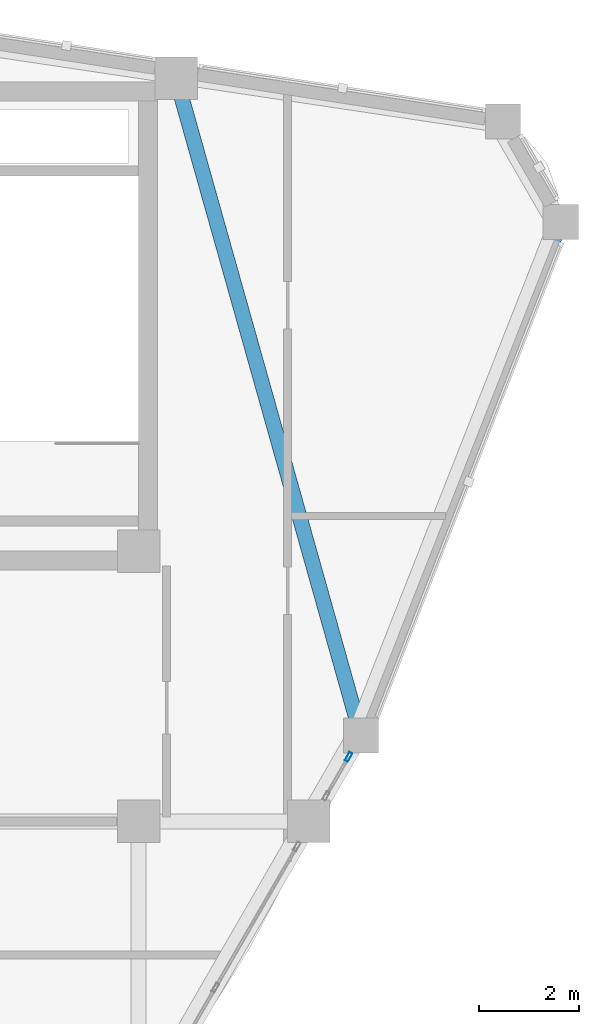
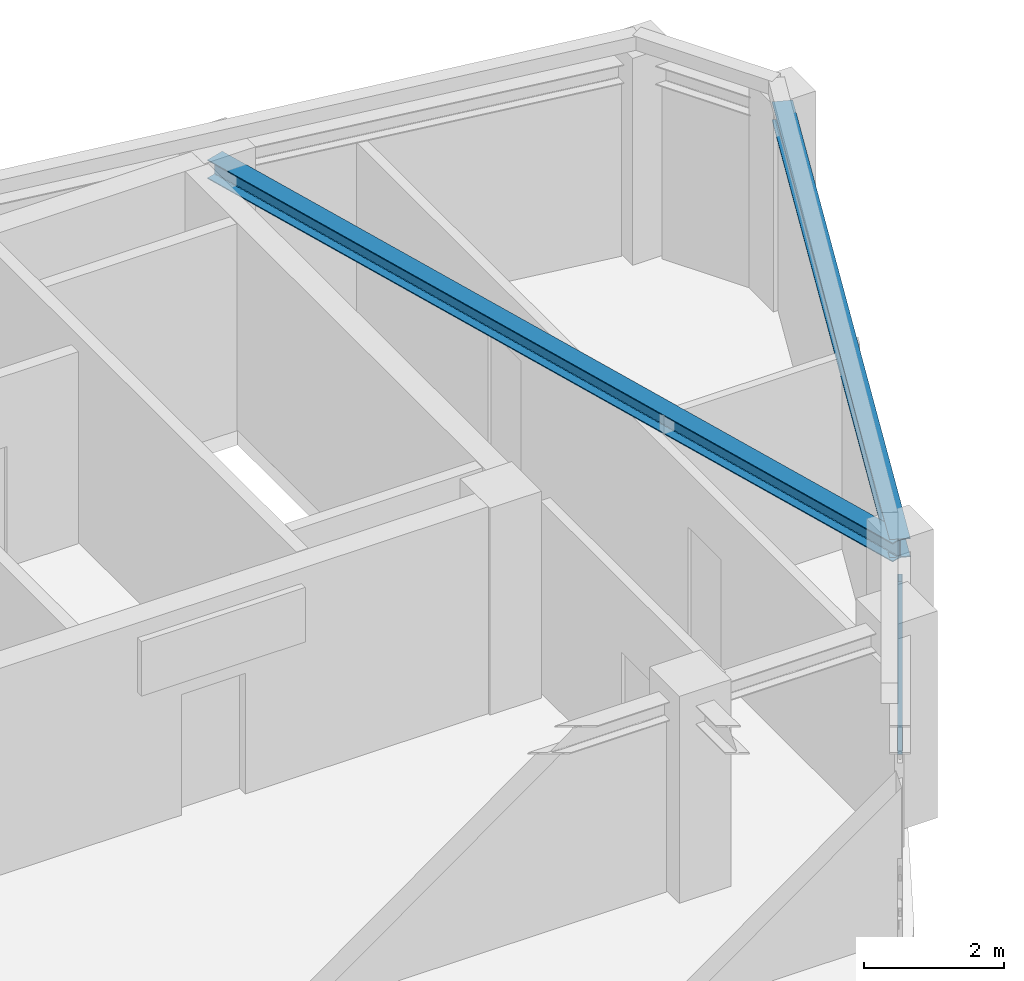
# One storey, part 8 of 13: 2 beams, 1 member, 1 element without a shape of its own.
"""IFC4 building model written with IfcOpenShell, lengths in metres."""

import ifcopenshell
import ifcopenshell.guid

model = None  # the IFC model being written
_history = None  # IfcOwnerHistory: only IFC2X3 demands one
_inside = {}  # id of a spatial element -> (the spatial element, [elements in it])
_under = {}  # id of a project, library or spatial element -> (it, [spatial elements below it])
_declared = {}  # id of a project -> (the project, [libraries it declares])
_typed = {}  # id of a type object -> (the type object, [elements of that type])
_made_of = {}  # id of a material, layer set ... -> (it, [elements and type objects made of it])


def new_model(schema):
    """Start an empty IFC model of exactly this schema.

    Asked for "IFC4X3", IfcOpenShell would pick the latest addendum, in which some entities
    have other attributes; the version numbers below select the first issue.
    IFC2X3 requires an IfcOwnerHistory on every rooted entity: one is made here for all.
    """
    global model, _history
    if schema == "IFC4X3":
        model = ifcopenshell.file(schema_version=(4, 3, 0, 0))
    else:
        model = ifcopenshell.file(schema=schema)
    _inside.clear()
    _under.clear()
    _declared.clear()
    _typed.clear()
    _made_of.clear()
    _history = None
    if model.schema == "IFC2X3":
        org = make("IfcOrganization", Name="unknown")
        user = make(
            "IfcPersonAndOrganization",
            ThePerson=make("IfcPerson", FamilyName="unknown"),
            TheOrganization=org,
        )
        app = make(
            "IfcApplication",
            ApplicationDeveloper=org,
            Version="unknown",
            ApplicationFullName="unknown",
            ApplicationIdentifier="unknown",
        )
        _history = make(
            "IfcOwnerHistory",
            OwningUser=user,
            OwningApplication=app,
            ChangeAction="ADDED",
            CreationDate=0,
        )
    return model


def make(cls, **values):
    """One entity of the class cls with the attributes given. An attribute that is None is left unset."""
    return model.create_entity(
        cls, **{name: value for name, value in values.items() if value is not None}
    )


def rooted(cls, **values):
    """An entity with a GlobalId (a new one), such as an element, a storey or a relation."""
    return make(cls, GlobalId=ifcopenshell.guid.new(), OwnerHistory=_history, **values)


def si_unit(unit_type, name, prefix=None):
    """IfcSIUnit, for example si_unit("LENGTHUNIT", "METRE", prefix="MILLI")."""
    return make("IfcSIUnit", UnitType=unit_type, Prefix=prefix, Name=name)


def derived_unit(unit_type, elements):
    """IfcDerivedUnit: a product of units, each with its exponent."""
    return make(
        "IfcDerivedUnit",
        Elements=[
            make("IfcDerivedUnitElement", Unit=unit, Exponent=power)
            for unit, power in elements
        ],
        UnitType=unit_type,
    )


def assignment(units):
    """IfcUnitAssignment: the units of a project."""
    return None if units is None else make("IfcUnitAssignment", Units=units)


def point(xyz):
    """IfcCartesianPoint."""
    return None if xyz is None else make("IfcCartesianPoint", Coordinates=xyz)


def direction(xyz):
    """IfcDirection."""
    return None if xyz is None else make("IfcDirection", DirectionRatios=xyz)


def frame(location, z_axis=None, x_axis=None):
    """IfcAxis2Placement3D, a coordinate frame: its origin and axes. An axis left out is left unset."""
    return make(
        "IfcAxis2Placement3D",
        Location=point(location),
        Axis=direction(z_axis),
        RefDirection=direction(x_axis),
    )


def frame_2d(location, x_axis=None):
    """IfcAxis2Placement2D, a coordinate frame in the plane: its origin and x axis."""
    return make(
        "IfcAxis2Placement2D", Location=point(location), RefDirection=direction(x_axis)
    )


def origin():
    """The frame at (0, 0, 0) with its axes left unset."""
    return frame((0.0, 0.0, 0.0))


def origin_2d():
    """The frame at (0, 0) in the plane with its x axis left unset."""
    return frame_2d((0.0, 0.0))


def place(relative_to, where):
    """IfcLocalPlacement: puts the frame where relative to a parent placement (None: the world)."""
    return make(
        "IfcLocalPlacement", PlacementRelTo=relative_to, RelativePlacement=where
    )


def context(
    kind, dimensions, precision=None, world=None, true_north=None, identifier=None
):
    """IfcGeometricRepresentationContext, for example the 3D "Model" context."""
    return make(
        "IfcGeometricRepresentationContext",
        ContextIdentifier=identifier,
        ContextType=kind,
        CoordinateSpaceDimension=dimensions,
        Precision=precision,
        WorldCoordinateSystem=world,
        TrueNorth=true_north,
    )


def subcontext(parent, identifier, kind, view, scale=None):
    """IfcGeometricRepresentationSubContext, for example "Body" below "Model"."""
    return make(
        "IfcGeometricRepresentationSubContext",
        ContextIdentifier=identifier,
        ContextType=kind,
        ParentContext=parent,
        TargetScale=scale,
        TargetView=view,
    )


def project(units=None, contexts=None):
    """IfcProject with its units and contexts."""
    return rooted(
        "IfcProject",
        Name="project",
        RepresentationContexts=contexts,
        UnitsInContext=assignment(units),
    )


def spatial(cls, under=None, at=None, **own):
    """A site, building, storey or space (cls), placed at a placement, below another one or the project."""
    s = rooted(cls, ObjectPlacement=at, **own)
    if under is not None:
        _under.setdefault(under.id(), (under, []))[1].append(s)
    return s


def profile(cls, at=None, kind="AREA", **sizes):
    """A parametric profile (cls). Its sizes go by their IFC names, for example OverallWidth=200.0."""
    return make(cls, ProfileType=kind, Position=at, **sizes)


def hollow_rectangle(**sizes):
    """IfcRectangleHollowProfileDef."""
    return profile("IfcRectangleHollowProfileDef", **sizes)


def i_section(**sizes):
    """IfcIShapeProfileDef."""
    return profile("IfcIShapeProfileDef", **sizes)


def extrude(swept, where, along, depth):
    """IfcExtrudedAreaSolid: the profile swept, set in the frame where, extruded along a direction by depth."""
    return make(
        "IfcExtrudedAreaSolid",
        SweptArea=swept,
        Position=where,
        ExtrudedDirection=direction(along),
        Depth=depth,
    )


def shape(context_of_items, identifier, shape_type, items):
    """IfcShapeRepresentation: the items that make up one representation, for example the "Body"."""
    return make(
        "IfcShapeRepresentation",
        ContextOfItems=context_of_items,
        RepresentationIdentifier=identifier,
        RepresentationType=shape_type,
        Items=items,
    )


def source(mapping_origin, context_of_items, identifier, shape_type, items):
    """IfcRepresentationMap: a shape defined once, which mapped items show again and again."""
    return make(
        "IfcRepresentationMap",
        MappingOrigin=mapping_origin,
        MappedRepresentation=shape(context_of_items, identifier, shape_type, items),
    )


def transform(
    local_origin,
    x_axis=None,
    y_axis=None,
    z_axis=None,
    scale=None,
    scale2=None,
    scale3=None,
    uniform=True,
):
    """IfcCartesianTransformationOperator3D, or its non-uniform kind. x_axis, y_axis, z_axis: its Axis1, 2, 3."""
    if uniform:
        return make(
            "IfcCartesianTransformationOperator3D",
            Axis1=direction(x_axis),
            Axis2=direction(y_axis),
            LocalOrigin=point(local_origin),
            Scale=scale,
            Axis3=direction(z_axis),
        )
    return make(
        "IfcCartesianTransformationOperator3DnonUniform",
        Axis1=direction(x_axis),
        Axis2=direction(y_axis),
        LocalOrigin=point(local_origin),
        Scale=scale,
        Axis3=direction(z_axis),
        Scale2=scale2,
        Scale3=scale3,
    )


def mapped(mapping_source, mapping_target):
    """IfcMappedItem: shows the shape of a source again, moved by a transform."""
    return make(
        "IfcMappedItem", MappingSource=mapping_source, MappingTarget=mapping_target
    )


def material(Name=None, Category=None):
    """IfcMaterial."""
    return make("IfcMaterial", Name=Name, Category=Category)


def layer(
    of_material, thickness, ventilated=None, Name=None, Category=None, Priority=None
):
    """IfcMaterialLayer: one layer of a wall or slab, of a material (None: an air gap)."""
    return make(
        "IfcMaterialLayer",
        Material=of_material,
        LayerThickness=thickness,
        IsVentilated=ventilated,
        Name=Name,
        Category=Category,
        Priority=Priority,
    )


def layer_set(layers, Name=None):
    """IfcMaterialLayerSet."""
    return make("IfcMaterialLayerSet", MaterialLayers=layers, LayerSetName=Name)


def material_profile(
    of_material, cross_section, Name=None, Category=None, Priority=None
):
    """IfcMaterialProfile: a cross section and its material."""
    return make(
        "IfcMaterialProfile",
        Name=Name,
        Material=of_material,
        Profile=cross_section,
        Priority=Priority,
        Category=Category,
    )


def profile_set(profiles, Name=None, composite=None):
    """IfcMaterialProfileSet."""
    return make(
        "IfcMaterialProfileSet",
        Name=Name,
        MaterialProfiles=profiles,
        CompositeProfile=composite,
    )


def made_of(thing, what):
    """Note that an element or type object is made of a material, layer set ...; save() writes the relation."""
    if what is not None:
        _made_of.setdefault(what.id(), (what, []))[1].append(thing)
    return thing


def type_object(cls, material=None, **own):
    """A type object (cls), such as IfcWallType, which elements share."""
    return made_of(rooted(cls, **own), material)


def element(
    cls,
    number,
    at=None,
    inside=None,
    cuts=None,
    type_object=None,
    material=None,
    context=None,
    identifier="Body",
    shape_type=None,
    held_by="IfcProductDefinitionShape",
    body=None,
    shapes=None,
    **own,
):
    """One element of the class cls, such as IfcWall. Its Tag is "e" and its number.

    at: its placement. inside: the storey or other place that contains it. cuts: it is an
    opening in that element (IfcRelVoidsElement). A single representation is given by context,
    identifier, shape_type and body (its items); several are given by shapes. held_by: the class
    of the entity that holds the representations. save() writes the other relations.
    """
    e = rooted(cls, Tag="e%d" % number, ObjectPlacement=at, **own)
    if body is not None:
        shapes = [shape(context, identifier, shape_type, body)]
    if shapes is not None:
        e.Representation = make(held_by, Representations=shapes)
    if inside is not None:
        _inside.setdefault(inside.id(), (inside, []))[1].append(e)
    if cuts is not None:
        rooted(
            "IfcRelVoidsElement", RelatingBuildingElement=cuts, RelatedOpeningElement=e
        )
    if type_object is not None:
        _typed.setdefault(type_object.id(), (type_object, []))[1].append(e)
    return made_of(e, material)


def aggregate(whole, parts):
    """IfcRelAggregates: a whole, such as a stair, and the parts it consists of."""
    return rooted("IfcRelAggregates", RelatingObject=whole, RelatedObjects=parts)


def save(model, path):
    """Write the relations noted so far, then the file.

    IfcRelAggregates (storeys below a building ...), IfcRelContainedInSpatialStructure (elements
    in a storey), IfcRelDefinesByType, IfcRelAssociatesMaterial and IfcRelDeclares: one each for
    every whole, place, type object, material and project.
    """
    for whole, parts in _under.values():
        aggregate(whole, parts)
    for where, things in _inside.values():
        rooted(
            "IfcRelContainedInSpatialStructure",
            RelatedElements=things,
            RelatingStructure=where,
        )
    for kind, things in _typed.values():
        rooted("IfcRelDefinesByType", RelatedObjects=things, RelatingType=kind)
    for what, things in _made_of.values():
        rooted("IfcRelAssociatesMaterial", RelatedObjects=things, RelatingMaterial=what)
    for by, libraries in _declared.values():
        rooted("IfcRelDeclares", RelatingContext=by, RelatedDefinitions=libraries)
    model.write(path)


model = new_model("IFC4")

# Units and contexts
model_context = context("Model", 3, precision=1e-05, world=origin(), true_north=direction((0.0, 1.0)))
body_context = subcontext(model_context, "Body", "Model", "MODEL_VIEW")
ifc_project = project(units=[si_unit("LENGTHUNIT", "METRE"), si_unit("AREAUNIT", "SQUARE_METRE"), si_unit("VOLUMEUNIT", "CUBIC_METRE"), si_unit("PLANEANGLEUNIT", "RADIAN"), si_unit("MASSUNIT", "GRAM", prefix="KILO"), derived_unit("THERMALTRANSMITTANCEUNIT", [(si_unit("POWERUNIT", "WATT"), 1), (si_unit("LENGTHUNIT", "METRE"), -2), (si_unit("THERMODYNAMICTEMPERATUREUNIT", "KELVIN"), -1)])], contexts=[model_context])

# Site, building, storey
site_placement = place(None, origin())
site = spatial("IfcSite", under=ifc_project, at=site_placement, CompositionType="ELEMENT")
building_placement = place(site_placement, origin())
building = spatial("IfcBuilding", under=site, at=building_placement, Name="Korsvarv Bourse and Concert Hall", CompositionType="ELEMENT")
storey_placement = place(building_placement, frame((0.0, 0.0, 296.10009765625)))
storey = spatial("IfcBuildingStorey", under=building, at=storey_placement, Name="L77", CompositionType="ELEMENT", Elevation=296.10009765625)

# Beams
ifc_material_1 = material(Name="Steel S355", Category="steel")
ifc_material_profile_1 = material_profile(ifc_material_1, i_section(OverallWidth=0.300048828125, OverallDepth=0.330078125, WebThickness=0.009521484375, FlangeThickness=0.0166015625, FilletRadius=0.02099609375, at=origin_2d()), Name="HEA 340")
ifc_profile_set_1 = profile_set([ifc_material_profile_1], Name="Steel S355")
beam_type = type_object("IfcBeamType", Name="BM-HEA340", PredefinedType="BEAM", material=ifc_profile_set_1)
shared_shape_1 = source(origin(), body_context, "Body", "SweptSolid", [
    extrude(i_section(OverallWidth=0.300048828125, OverallDepth=0.330078125, WebThickness=0.009521484375, FlangeThickness=0.0166015625, FilletRadius=0.02099609375, at=origin_2d()), origin(), (0.0, 0.0, 1.0), 11.015625),
])
beam_1_placement = place(storey_placement, frame((48.843505859375, 34.115478515625, 3.1748046875), z_axis=(0.362389575123, 0.932026714125, 0.0), x_axis=(-0.932026714125, 0.362389575123, 0.0)))
element("IfcBeam", 1, at=beam_1_placement, inside=storey, type_object=beam_type, Name="L77 beam B-12", PredefinedType="BEAM", context=body_context, shape_type="MappedRepresentation", body=[
    mapped(shared_shape_1, transform((0.0, 0.0, 0.0), scale=1.0)),
])
shared_shape_2 = source(origin(), body_context, "Body", "SweptSolid", [
    extrude(i_section(OverallWidth=0.300048828125, OverallDepth=0.330078125, WebThickness=0.009521484375, FlangeThickness=0.0166015625, FilletRadius=0.02099609375, at=origin_2d()), origin(), (0.0, 0.0, 1.0), 13.64404296875),
])
beam_2_placement = place(storey_placement, frame((48.843505859375, 34.115478515625, 3.1748046875), z_axis=(-0.270712930984, 0.962660121226, 0.0), x_axis=(-0.962660121226, -0.270712930984, 0.0)))
element("IfcBeam", 2, at=beam_2_placement, inside=storey, type_object=beam_type, Name="L77 beam B-12", PredefinedType="BEAM", context=body_context, shape_type="MappedRepresentation", body=[
    mapped(shared_shape_2, transform((0.0, 0.0, 0.0), scale=1.0)),
])

# Curtain wall, member
ifc_material_2 = material(Name="Anodised aluminium and triple low-E glazing", Category="glass")
ifc_layer = layer(ifc_material_2, 0.22998046875)
ifc_layer_set = layer_set([ifc_layer], Name="Anodised aluminium and triple low-E glazing")
curtain_wall_type = type_object("IfcCurtainWallType", Name="CW-SYS-6", PredefinedType="NOTDEFINED", material=ifc_layer_set)
curtain_wall_placement = place(storey_placement, origin())
curtain_wall = element("IfcCurtainWall", 3, at=curtain_wall_placement, inside=storey, type_object=curtain_wall_type, Name="L77 CW6 curtain wall CW-L77-CRN11-2", PredefinedType="NOTDEFINED")
ifc_material_3 = material(Name="Extruded aluminium EN AW-6063 T66", Category="aluminium")
ifc_material_profile_2 = material_profile(ifc_material_3, hollow_rectangle(XDim=0.070068359375, YDim=0.18994140625, WallThickness=0.0048828125, at=origin_2d()), Name="ALU-M 70x190")
ifc_profile_set_2 = profile_set([ifc_material_profile_2], Name="Extruded aluminium EN AW-6063 T66")
member_type = type_object("IfcMemberType", Name="CWM-190", PredefinedType="MULLION", material=ifc_profile_set_2)
shared_shape_3 = source(origin(), body_context, "Body", "SweptSolid", [
    extrude(hollow_rectangle(XDim=0.070068359375, YDim=0.18994140625, WallThickness=0.0048828125, at=origin_2d()), origin(), (0.0, 0.0, 1.0), 3.010009765625),
])
member_placement = place(storey_placement, frame((48.59521484375, 33.685302734375, 0.0), z_axis=(0.0, 0.0, 1.0), x_axis=(-0.865989998116, 0.500061319403, 0.0)))
member = element("IfcMember", 4, at=member_placement, type_object=member_type, Name="CW6 mullion 2", PredefinedType="MULLION", context=body_context, shape_type="MappedRepresentation", body=[
    mapped(shared_shape_3, transform((0.0, 0.0, 0.0), scale=1.0)),
])
aggregate(curtain_wall, [member])

save(model, "model.ifc")
